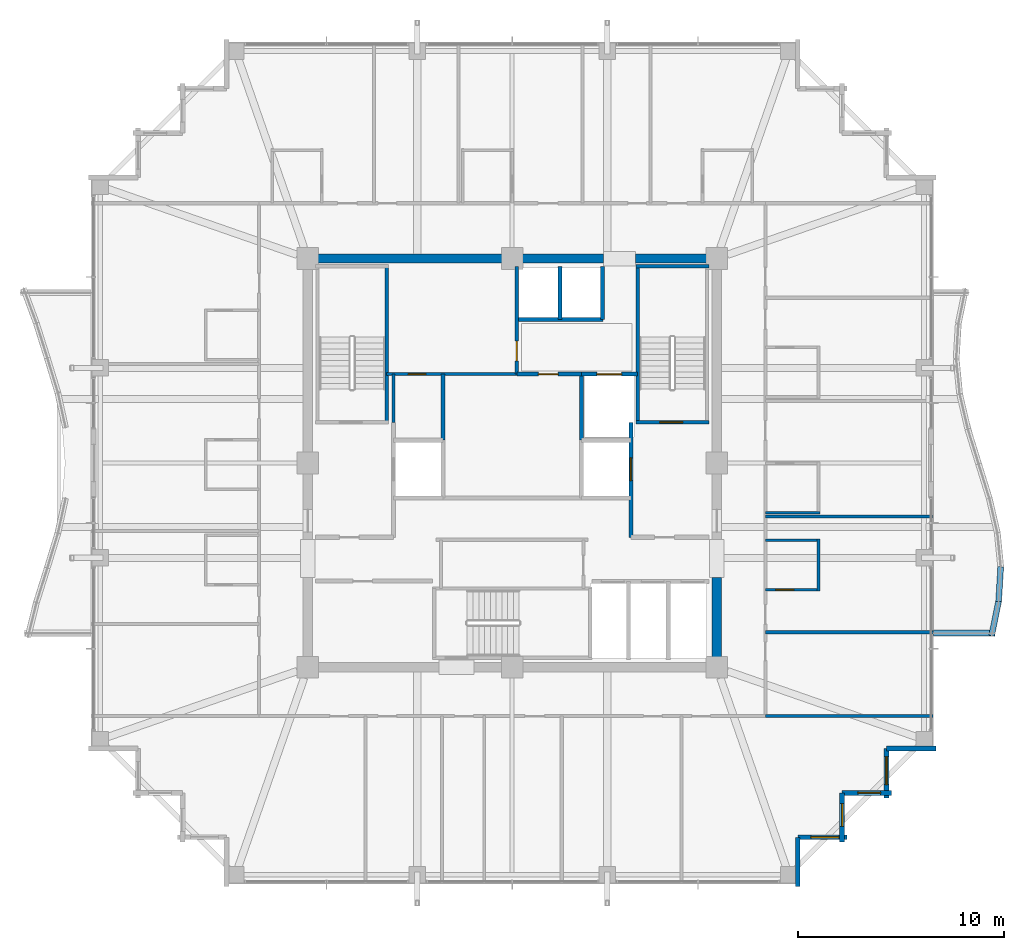
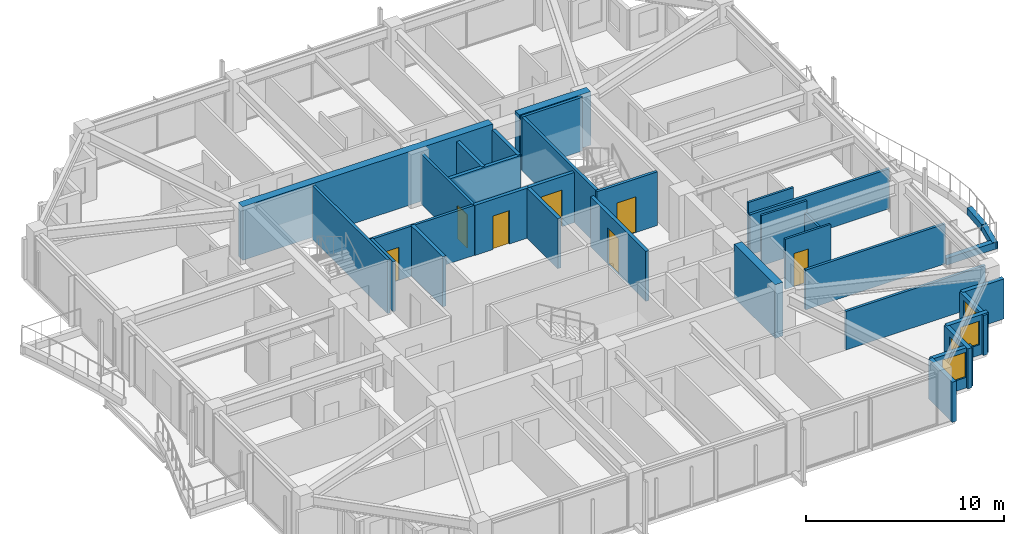
# One storey, part 31 of 35: 34 walls, 7 doors, 4 windows, 11 openings.
"""IFC4 building model written with IfcOpenShell, lengths in metres."""

from ifc_helpers import new_model, si_unit, direction, frame, frame_2d, origin, place, context, subcontext, project, spatial, rectangle, extrude, material, layer, layer_set, type_object, element, fill, save


model = new_model("IFC4")

# Units and contexts
model_context = context("Model", 3, precision=1e-05, world=origin(), true_north=direction((0.0, 1.0)))
body_context = subcontext(model_context, "Body", "Model", "MODEL_VIEW")
ifc_project = project(units=[si_unit("LENGTHUNIT", "METRE"), si_unit("AREAUNIT", "SQUARE_METRE"), si_unit("VOLUMEUNIT", "CUBIC_METRE"), si_unit("PLANEANGLEUNIT", "RADIAN"), si_unit("MASSUNIT", "GRAM", prefix="KILO")], contexts=[model_context])

# Site, building, storey
site_placement = place(None, origin())
site = spatial("IfcSite", under=ifc_project, at=site_placement, CompositionType="ELEMENT")
building_placement = place(site_placement, origin())
building = spatial("IfcBuilding", under=site, at=building_placement, Name="Kolvaren Belvedere", CompositionType="ELEMENT")
storey_placement = place(building_placement, frame((0.0, 0.0, 216.300048828125)))
storey = spatial("IfcBuildingStorey", under=building, at=storey_placement, Name="L63", CompositionType="ELEMENT", Elevation=216.300048828125)

# Walls
ifc_material_1 = material(Name="Concrete C50/60", Category="concrete")
ifc_layer_1 = layer(ifc_material_1, 0.449951171875)
ifc_layer_set_1 = layer_set([ifc_layer_1], Name="Concrete C50/60")
wall_type_1 = type_object("IfcWallType", Name="CW-CORE-450", PredefinedType="SHEAR", material=ifc_layer_set_1)
wall_1_placement = place(storey_placement, frame((-10.125, 9.89990234375, 0.0), z_axis=(0.0, 0.0, 1.0), x_axis=(1.0, 0.0, 0.0)))
element("IfcWall", 1, at=wall_1_placement, inside=storey, type_object=wall_type_1, Name="L63 North Core Shear Wall 1", PredefinedType="SHEAR", context=body_context, shape_type="SweptSolid", body=[
    extrude(rectangle(XDim=14.544921875, YDim=0.449951171875, at=frame_2d((7.2724609375, 0.0))), origin(), (0.0, 0.0, 1.0), 3.300048828125),
])
wall_2_placement = place(storey_placement, frame((5.97998046875, 9.89990234375, 0.0), z_axis=(0.0, 0.0, 1.0), x_axis=(1.0, 0.0, 0.0)))
element("IfcWall", 2, at=wall_2_placement, inside=storey, type_object=wall_type_1, Name="L63 North Core Shear Wall 2", PredefinedType="SHEAR", context=body_context, shape_type="SweptSolid", body=[
    extrude(rectangle(XDim=4.14501953125, YDim=0.449951171875, at=frame_2d((2.072509765625, 0.0))), origin(), (0.0, 0.0, 1.0), 3.300048828125),
])
wall_3_placement = place(storey_placement, frame((9.89990234375, -9.675048828125, 0.0), z_axis=(0.0, 0.0, 1.0), x_axis=(0.0, 1.0, 0.0)))
element("IfcWall", 3, at=wall_3_placement, inside=storey, type_object=wall_type_1, Name="L63 East Core Shear Wall 1", PredefinedType="SHEAR", context=body_context, shape_type="SweptSolid", body=[
    extrude(rectangle(XDim=4.125, YDim=0.449951171875, at=frame_2d((2.0625, 0.0))), origin(), (0.0, 0.0, 1.0), 3.300048828125),
])
ifc_material_2 = material(Name="Concrete C50/60", Category="concrete")
ifc_layer_2 = layer(ifc_material_2, 0.159912109375)
ifc_layer_set_2 = layer_set([ifc_layer_2], Name="Concrete C50/60")
wall_type_2 = type_object("IfcWallType", Name="CW-STAIR-160", PredefinedType="SHEAR", material=ifc_layer_set_2)
wall_4_placement = place(storey_placement, frame((-6.080078125, 1.969970703125, 0.0), z_axis=(0.0, 0.0, 1.0), x_axis=(0.0, 1.0, 0.0)))
element("IfcWall", 4, at=wall_4_placement, inside=storey, type_object=wall_type_2, Name="L63 Stair ST-1 East Shear Wall", PredefinedType="SHEAR", context=body_context, shape_type="SweptSolid", body=[
    extrude(rectangle(XDim=7.56005859375, YDim=0.159912109375, at=frame_2d((3.780029296875, 0.0))), origin(), (0.0, 0.0, 1.0), 3.300048828125),
])

# Wall, opening, door
wall_5_placement = place(storey_placement, frame((6.0, 1.969970703125, 0.0), z_axis=(0.0, 0.0, 1.0), x_axis=(1.0, 0.0, 0.0)))
wall_5 = element("IfcWall", 5, at=wall_5_placement, inside=storey, type_object=wall_type_2, Name="L63 Stair ST-2 South Shear Wall", PredefinedType="SHEAR", context=body_context, shape_type="SweptSolid", body=[
    extrude(rectangle(XDim=3.52001953125, YDim=0.159912109375, at=frame_2d((1.760009765625, 0.0))), origin(), (0.0, 0.0, 1.0), 3.300048828125),
])
opening_1_placement = place(wall_5_placement, frame((1.14990234375, 0.0, 0.0)))
opening_1 = element("IfcOpeningElement", 6, at=opening_1_placement, cuts=wall_5, Name="Opening D-FD90", PredefinedType="OPENING", context=body_context, shape_type="SweptSolid", body=[
    extrude(rectangle(XDim=1.10009765625, YDim=2.199951171875, at=frame_2d((0.550048828125, 1.10009765625))), frame((0.0, 0.08984375, 0.0), z_axis=(0.0, -1.0, 0.0), x_axis=(1.0, 0.0, 0.0)), (0.0, 0.0, 1.0), 0.179931640625),
])
ifc_material_3 = material(Name="Painted hollow stainless steel", Category="steel")
door_type_1 = type_object("IfcDoorType", Name="DR-FD90-1100", OperationType="NOTDEFINED", PredefinedType="DOOR", material=ifc_material_3)
door_1_placement = place(opening_1_placement, origin())
door_1 = element("IfcDoor", 7, at=door_1_placement, inside=storey, type_object=door_type_1, Name="L63 Stair ST-2 Fire Door", OperationType="SINGLE_SWING_RIGHT", OverallHeight=2.199951171875, OverallWidth=1.10009765625, PredefinedType="DOOR", context=body_context, shape_type="SweptSolid", body=[
    extrude(rectangle(XDim=1.10009765625, YDim=2.199951171875, at=frame_2d((0.550048828125, 1.10009765625))), frame((0.0, 0.02490234375, 0.0), z_axis=(0.0, -1.0, 0.0), x_axis=(1.0, 0.0, 0.0)), (0.0, 0.0, 1.0), 0.050048828125),
])
fill(opening_1, door_1)

# Walls
wall_6_placement = place(storey_placement, frame((6.0, 9.530029296875, 0.0), z_axis=(0.0, 0.0, 1.0), x_axis=(1.0, 0.0, 0.0)))
element("IfcWall", 8, at=wall_6_placement, inside=storey, type_object=wall_type_2, Name="L63 Stair ST-2 North Shear Wall", PredefinedType="SHEAR", context=body_context, shape_type="SweptSolid", body=[
    extrude(rectangle(XDim=3.52001953125, YDim=0.159912109375, at=frame_2d((1.760009765625, 0.0))), origin(), (0.0, 0.0, 1.0), 3.300048828125),
])
wall_7_placement = place(storey_placement, frame((6.080078125, 1.969970703125, 0.0), z_axis=(0.0, 0.0, 1.0), x_axis=(0.0, 1.0, 0.0)))
element("IfcWall", 9, at=wall_7_placement, inside=storey, type_object=wall_type_2, Name="L63 Stair ST-2 West Shear Wall", PredefinedType="SHEAR", context=body_context, shape_type="SweptSolid", body=[
    extrude(rectangle(XDim=7.56005859375, YDim=0.159912109375, at=frame_2d((3.780029296875, 0.0))), origin(), (0.0, 0.0, 1.0), 3.300048828125),
])
ifc_material_4 = material(Name="Insulated pale-metal facade wall assembly", Category="aluminium")
ifc_layer_3 = layer(ifc_material_4, 0.239990234375)
ifc_layer_set_3 = layer_set([ifc_layer_3], Name="Insulated pale-metal facade wall assembly")
wall_type_3 = type_object("IfcWallType", Name="WL-EXT-240", PredefinedType="STANDARD", material=ifc_layer_set_3)
wall_8_placement = place(storey_placement, frame((13.830078125, -18.1298828125, 0.0), z_axis=(0.0, 0.0, 1.0), x_axis=(0.0, -1.0, 0.0)))
element("IfcWall", 10, at=wall_8_placement, inside=storey, type_object=wall_type_3, Name="L63 Serrated Corner Facade Wall 2", PredefinedType="STANDARD", context=body_context, shape_type="SweptSolid", body=[
    extrude(rectangle(XDim=2.39013671875, YDim=0.239990234375, at=frame_2d((1.195068359375, 0.0))), origin(), (0.0, 0.0, 1.0), 2.462890625),
])

# Wall, opening, window
wall_9_placement = place(storey_placement, frame((16.219970703125, -18.1298828125, 0.0), z_axis=(0.0, 0.0, 1.0), x_axis=(-1.0, 0.0, 0.0)))
wall_9 = element("IfcWall", 11, at=wall_9_placement, inside=storey, type_object=wall_type_3, Name="L63 Serrated Corner Facade Wall 3", PredefinedType="STANDARD", context=body_context, shape_type="SweptSolid", body=[
    extrude(rectangle(XDim=2.389892578125, YDim=0.239990234375, at=frame_2d((1.19482421875, 0.0))), origin(), (0.0, 0.0, 1.0), 2.462890625),
])
opening_2_placement = place(wall_9_placement, frame((0.39990234375, 0.0, 0.64990234375)))
opening_2 = element("IfcOpeningElement", 12, at=opening_2_placement, cuts=wall_9, Name="Opening W-1350", PredefinedType="OPENING", context=body_context, shape_type="SweptSolid", body=[
    extrude(rectangle(XDim=1.35009765625, YDim=1.550048828125, at=frame_2d((0.675048828125, 0.77490234375))), frame((0.0, 0.1298828125, 0.0), z_axis=(0.0, -1.0, 0.0), x_axis=(1.0, 0.0, 0.0)), (0.0, 0.0, 1.0), 0.260009765625),
])
ifc_material_5 = material(Name="Low-iron triple insulated glass", Category="glass")
window_type_1 = type_object("IfcWindowType", Name="WN-CORN-1350", PartitioningType="SINGLE_PANEL", PredefinedType="WINDOW", material=ifc_material_5)
window_1_placement = place(opening_2_placement, origin())
window_1 = element("IfcWindow", 13, at=window_1_placement, inside=storey, type_object=window_type_1, Name="L63 Serrated Corner Vision Window 3", OverallHeight=1.550048828125, OverallWidth=1.35009765625, PartitioningType="SINGLE_PANEL", PredefinedType="WINDOW", context=body_context, shape_type="SweptSolid", body=[
    extrude(rectangle(XDim=1.35009765625, YDim=1.550048828125, at=frame_2d((0.675048828125, 0.77490234375))), frame((0.0, 0.030029296875, 0.0), z_axis=(0.0, -1.0, 0.0), x_axis=(1.0, 0.0, 0.0)), (0.0, 0.0, 1.0), 0.06005859375),
])
fill(opening_2, window_1)

wall_10_placement = place(storey_placement, frame((15.97998046875, -15.97998046875, 0.0), z_axis=(0.0, 0.0, 1.0), x_axis=(0.0, -1.0, 0.0)))
wall_10 = element("IfcWall", 14, at=wall_10_placement, inside=storey, type_object=wall_type_3, Name="L63 Serrated Corner Facade Wall 4", PredefinedType="STANDARD", context=body_context, shape_type="SweptSolid", body=[
    extrude(rectangle(XDim=2.39013671875, YDim=0.239990234375, at=frame_2d((1.195068359375, 0.0))), origin(), (0.0, 0.0, 1.0), 2.462890625),
])
opening_3_placement = place(wall_10_placement, frame((0.52490234375, 0.0, 0.64990234375)))
opening_3 = element("IfcOpeningElement", 15, at=opening_3_placement, cuts=wall_10, Name="Opening W-1100", PredefinedType="OPENING", context=body_context, shape_type="SweptSolid", body=[
    extrude(rectangle(XDim=1.10009765625, YDim=1.449951171875, at=frame_2d((0.550048828125, 0.72509765625))), frame((0.0, 0.1298828125, 0.0), z_axis=(0.0, -1.0, 0.0), x_axis=(1.0, 0.0, 0.0)), (0.0, 0.0, 1.0), 0.260009765625),
])
ifc_material_6 = material(Name="Low-iron triple insulated glass", Category="glass")
window_type_2 = type_object("IfcWindowType", Name="WN-CORN-1100", PartitioningType="SINGLE_PANEL", PredefinedType="WINDOW", material=ifc_material_6)
window_2_placement = place(opening_3_placement, origin())
window_2 = element("IfcWindow", 16, at=window_2_placement, inside=storey, type_object=window_type_2, Name="L63 Serrated Corner Vision Window 4", OverallHeight=1.449951171875, OverallWidth=1.10009765625, PartitioningType="SINGLE_PANEL", PredefinedType="WINDOW", context=body_context, shape_type="SweptSolid", body=[
    extrude(rectangle(XDim=1.10009765625, YDim=1.449951171875, at=frame_2d((0.550048828125, 0.72509765625))), frame((0.0, 0.030029296875, 0.0), z_axis=(0.0, -1.0, 0.0), x_axis=(1.0, 0.0, 0.0)), (0.0, 0.0, 1.0), 0.06005859375),
])
fill(opening_3, window_2)

wall_11_placement = place(storey_placement, frame((18.3701171875, -15.97998046875, 0.0), z_axis=(0.0, 0.0, 1.0), x_axis=(-1.0, 0.0, 0.0)))
wall_11 = element("IfcWall", 17, at=wall_11_placement, inside=storey, type_object=wall_type_3, Name="L63 Serrated Corner Facade Wall 5", PredefinedType="STANDARD", context=body_context, shape_type="SweptSolid", body=[
    extrude(rectangle(XDim=2.39013671875, YDim=0.239990234375, at=frame_2d((1.195068359375, 0.0))), origin(), (0.0, 0.0, 1.0), 2.462890625),
])
opening_4_placement = place(wall_11_placement, frame((0.52490234375, 0.0, 0.64990234375)))
opening_4 = element("IfcOpeningElement", 18, at=opening_4_placement, cuts=wall_11, Name="Opening W-1100", PredefinedType="OPENING", context=body_context, shape_type="SweptSolid", body=[
    extrude(rectangle(XDim=1.10009765625, YDim=1.449951171875, at=frame_2d((0.550048828125, 0.72509765625))), frame((0.0, 0.1298828125, 0.0), z_axis=(0.0, -1.0, 0.0), x_axis=(1.0, 0.0, 0.0)), (0.0, 0.0, 1.0), 0.260009765625),
])
window_3_placement = place(opening_4_placement, origin())
window_3 = element("IfcWindow", 19, at=window_3_placement, inside=storey, type_object=window_type_2, Name="L63 Serrated Corner Vision Window 5", OverallHeight=1.449951171875, OverallWidth=1.10009765625, PartitioningType="SINGLE_PANEL", PredefinedType="WINDOW", context=body_context, shape_type="SweptSolid", body=[
    extrude(rectangle(XDim=1.10009765625, YDim=1.449951171875, at=frame_2d((0.550048828125, 0.72509765625))), frame((0.0, 0.030029296875, 0.0), z_axis=(0.0, -1.0, 0.0), x_axis=(1.0, 0.0, 0.0)), (0.0, 0.0, 1.0), 0.06005859375),
])
fill(opening_4, window_3)

wall_12_placement = place(storey_placement, frame((18.1298828125, -13.830078125, 0.0), z_axis=(0.0, 0.0, 1.0), x_axis=(0.0, -1.0, 0.0)))
wall_12 = element("IfcWall", 20, at=wall_12_placement, inside=storey, type_object=wall_type_3, Name="L63 Serrated Corner Facade Wall 6", PredefinedType="STANDARD", context=body_context, shape_type="SweptSolid", body=[
    extrude(rectangle(XDim=2.389892578125, YDim=0.239990234375, at=frame_2d((1.19482421875, 0.0))), origin(), (0.0, 0.0, 1.0), 2.462890625),
])
opening_5_placement = place(wall_12_placement, frame((0.39990234375, 0.0, 0.64990234375)))
opening_5 = element("IfcOpeningElement", 21, at=opening_5_placement, cuts=wall_12, Name="Opening W-1350", PredefinedType="OPENING", context=body_context, shape_type="SweptSolid", body=[
    extrude(rectangle(XDim=1.35009765625, YDim=1.550048828125, at=frame_2d((0.675048828125, 0.77490234375))), frame((0.0, 0.1298828125, 0.0), z_axis=(0.0, -1.0, 0.0), x_axis=(1.0, 0.0, 0.0)), (0.0, 0.0, 1.0), 0.260009765625),
])
window_4_placement = place(opening_5_placement, origin())
window_4 = element("IfcWindow", 22, at=window_4_placement, inside=storey, type_object=window_type_1, Name="L63 Serrated Corner Vision Window 6", OverallHeight=1.550048828125, OverallWidth=1.35009765625, PartitioningType="SINGLE_PANEL", PredefinedType="WINDOW", context=body_context, shape_type="SweptSolid", body=[
    extrude(rectangle(XDim=1.35009765625, YDim=1.550048828125, at=frame_2d((0.675048828125, 0.77490234375))), frame((0.0, 0.030029296875, 0.0), z_axis=(0.0, -1.0, 0.0), x_axis=(1.0, 0.0, 0.0)), (0.0, 0.0, 1.0), 0.06005859375),
])
fill(opening_5, window_4)

# Wall
wall_13_placement = place(storey_placement, frame((20.52001953125, -13.830078125, 0.0), z_axis=(0.0, 0.0, 1.0), x_axis=(-1.0, 0.0, 0.0)))
element("IfcWall", 23, at=wall_13_placement, inside=storey, type_object=wall_type_3, Name="L63 Serrated Corner Facade Wall 7", PredefinedType="STANDARD", context=body_context, shape_type="SweptSolid", body=[
    extrude(rectangle(XDim=2.39013671875, YDim=0.239990234375, at=frame_2d((1.195068359375, 0.0))), origin(), (0.0, 0.0, 1.0), 2.462890625),
])

# Wall, opening, door
ifc_material_7 = material(Name="Gypsum acoustic partition assembly", Category="gypsum")
ifc_layer_4 = layer(ifc_material_7, 0.14990234375)
ifc_layer_set_4 = layer_set([ifc_layer_4], Name="Gypsum acoustic partition assembly")
wall_type_4 = type_object("IfcWallType", Name="WL-PART-150", PredefinedType="PARTITIONING", material=ifc_layer_set_4)
wall_14_placement = place(storey_placement, frame((-6.080078125, 4.300048828125, 0.0), z_axis=(0.0, 0.0, 1.0), x_axis=(1.0, 0.0, 0.0)))
wall_14 = element("IfcWall", 24, at=wall_14_placement, inside=storey, type_object=wall_type_4, Name="L63 Reclaimed Salon South Wall", PredefinedType="PARTITIONING", context=body_context, shape_type="SweptSolid", body=[
    extrude(rectangle(XDim=6.300048828125, YDim=0.14990234375, at=frame_2d((3.14990234375, 0.0))), origin(), (0.0, 0.0, 1.0), 3.079833984375),
])
opening_6_placement = place(wall_14_placement, frame((1.050048828125, 0.0, 0.0)))
opening_6 = element("IfcOpeningElement", 25, at=opening_6_placement, cuts=wall_14, Name="Opening D-INT85", PredefinedType="OPENING", context=body_context, shape_type="SweptSolid", body=[
    extrude(rectangle(XDim=0.85009765625, YDim=2.030029296875, at=frame_2d((0.425048828125, 1.01513671875))), frame((0.0, 0.0849609375, 0.0), z_axis=(0.0, -1.0, 0.0), x_axis=(1.0, 0.0, 0.0)), (0.0, 0.0, 1.0), 0.169921875),
])
ifc_material_8 = material(Name="Stained Pacific white oak", Category="timber")
door_type_2 = type_object("IfcDoorType", Name="DR-INT-850", OperationType="NOTDEFINED", PredefinedType="DOOR", material=ifc_material_8)
door_2_placement = place(opening_6_placement, origin())
door_2 = element("IfcDoor", 26, at=door_2_placement, inside=storey, type_object=door_type_2, Name="L63 NW Core Store Door", OperationType="SINGLE_SWING_RIGHT", OverallHeight=2.030029296875, OverallWidth=0.85009765625, PredefinedType="DOOR", context=body_context, shape_type="SweptSolid", body=[
    extrude(rectangle(XDim=0.85009765625, YDim=2.030029296875, at=frame_2d((0.425048828125, 1.01513671875))), frame((0.0, 0.02490234375, 0.0), z_axis=(0.0, -1.0, 0.0), x_axis=(1.0, 0.0, 0.0)), (0.0, 0.0, 1.0), 0.050048828125),
])
fill(opening_6, door_2)

wall_15_placement = place(storey_placement, frame((0.219970703125, 4.300048828125, 0.0), z_axis=(0.0, 0.0, 1.0), x_axis=(0.0, 1.0, 0.0)))
wall_15 = element("IfcWall", 27, at=wall_15_placement, inside=storey, type_object=wall_type_4, Name="L63 Reclaimed Salon East Wall", PredefinedType="PARTITIONING", context=body_context, shape_type="SweptSolid", body=[
    extrude(rectangle(XDim=5.219970703125, YDim=0.14990234375, at=frame_2d((2.60986328125, 0.0))), origin(), (0.0, 0.0, 1.0), 3.079833984375),
])
opening_7_placement = place(wall_15_placement, frame((0.64990234375, 0.0, 0.0)))
opening_7 = element("IfcOpeningElement", 28, at=opening_7_placement, cuts=wall_15, Name="Opening D-INT95", PredefinedType="OPENING", context=body_context, shape_type="SweptSolid", body=[
    extrude(rectangle(XDim=0.949951171875, YDim=2.06005859375, at=frame_2d((0.47509765625, 1.030029296875))), frame((0.0, 0.0849609375, 0.0), z_axis=(0.0, -1.0, 0.0), x_axis=(1.0, 0.0, 0.0)), (0.0, 0.0, 1.0), 0.169921875),
])
ifc_material_9 = material(Name="Stained Pacific white oak", Category="timber")
door_type_3 = type_object("IfcDoorType", Name="DR-INT-950", OperationType="NOTDEFINED", PredefinedType="DOOR", material=ifc_material_9)
door_3_placement = place(opening_7_placement, origin())
door_3 = element("IfcDoor", 29, at=door_3_placement, inside=storey, type_object=door_type_3, Name="L63 Botanical Reading Salon Door", OperationType="SINGLE_SWING_LEFT", OverallHeight=2.06005859375, OverallWidth=0.949951171875, PredefinedType="DOOR", context=body_context, shape_type="SweptSolid", body=[
    extrude(rectangle(XDim=0.949951171875, YDim=2.06005859375, at=frame_2d((0.47509765625, 1.030029296875))), frame((0.0, 0.02490234375, 0.0), z_axis=(0.0, -1.0, 0.0), x_axis=(1.0, 0.0, 0.0)), (0.0, 0.0, 1.0), 0.050048828125),
])
fill(opening_7, door_3)

# Walls
wall_16_placement = place(storey_placement, frame((-5.75, 1.969970703125, 0.0), z_axis=(0.0, 0.0, 1.0), x_axis=(0.0, 1.0, 0.0)))
element("IfcWall", 30, at=wall_16_placement, inside=storey, type_object=wall_type_4, Name="L63 NW Service Room West Wall", PredefinedType="PARTITIONING", context=body_context, shape_type="SweptSolid", body=[
    extrude(rectangle(XDim=2.330078125, YDim=0.14990234375, at=frame_2d((1.1650390625, 0.0))), origin(), (0.0, 0.0, 1.0), 3.079833984375),
])
wall_17_placement = place(storey_placement, frame((12.260009765625, -12.260009765625, 0.0), z_axis=(0.0, 0.0, 1.0), x_axis=(1.0, 0.0, 0.0)))
element("IfcWall", 31, at=wall_17_placement, inside=storey, type_object=wall_type_4, Name="L63 Wing Divider PW-L63-QSE", PredefinedType="PARTITIONING", context=body_context, shape_type="SweptSolid", body=[
    extrude(rectangle(XDim=8.119873046875, YDim=0.14990234375, at=frame_2d((4.06005859375, 0.0))), origin(), (0.0, 0.0, 1.0), 2.368896484375),
])
for number, where, z_axis, x_axis, name in (
    (32, (12.260009765625, -8.199951171875, 0.0), (0.0, 0.0, 1.0), (1.0, 0.0, 0.0), "L63 East Suite Demising Wall 1"),
    (33, (12.260009765625, -2.60009765625, 0.0), (0.0, 0.0, 1.0), (1.0, 0.0, 0.0), "L63 East Suite Demising Wall 2"),
):
    element("IfcWall", number, at=place(storey_placement, frame(where, z_axis=z_axis, x_axis=x_axis)), inside=storey, type_object=wall_type_4, Name=name, PredefinedType="PARTITIONING", context=body_context, shape_type="SweptSolid", body=[
        extrude(rectangle(XDim=8.119873046875, YDim=0.14990234375, at=frame_2d((4.06005859375, 0.0))), origin(), (0.0, 0.0, 1.0), 2.452880859375),
    ])
ifc_material_10 = material(Name="Precast concrete C40/50", Category="concrete")
ifc_layer_5 = layer(ifc_material_10, 0.300048828125)
ifc_layer_set_5 = layer_set([ifc_layer_5], Name="Precast concrete C40/50")
wall_type_5 = type_object("IfcWallType", Name="WL-PLANTER-300", PredefinedType="PARAPET", material=ifc_layer_set_5)
wall_18_placement = place(storey_placement, frame((23.218017578125, -8.367919921875, -0.0400390625), z_axis=(0.0, 0.0, 1.0), x_axis=(0.199647526069, 0.979867779516, 0.0)))
element("IfcWall", 34, at=wall_18_placement, inside=storey, type_object=wall_type_5, Name="L63 Precast Structural Planter Wall BAL-E-1", PredefinedType="PARAPET", context=body_context, shape_type="SweptSolid", body=[
    extrude(rectangle(XDim=1.71435546875, YDim=0.280029296875, at=frame_2d((0.857177734375, 0.0))), origin(), (0.0, 0.0, 1.0), 0.419921875),
])
wall_19_placement = place(storey_placement, frame((23.5576171875, -6.710205078125, -0.0400390625), z_axis=(0.0, 0.0, 1.0), x_axis=(0.061068773295, 0.998133560666, 0.0)))
element("IfcWall", 35, at=wall_19_placement, inside=storey, type_object=wall_type_5, Name="L63 Precast Structural Planter Wall BAL-E-2", PredefinedType="PARAPET", context=body_context, shape_type="SweptSolid", body=[
    extrude(rectangle(XDim=1.68310546875, YDim=0.280029296875, at=frame_2d((0.841552734375, 0.0))), origin(), (0.0, 0.0, 1.0), 0.419921875),
])
wall_20_placement = place(storey_placement, frame((20.39990234375, -8.239990234375, -0.0400390625), z_axis=(0.0, 0.0, 1.0), x_axis=(1.0, 0.0, 0.0)))
element("IfcWall", 36, at=wall_20_placement, inside=storey, type_object=wall_type_5, Name="L63 Precast Structural Planter Wall BAL-E-22", PredefinedType="PARAPET", context=body_context, shape_type="SweptSolid", body=[
    extrude(rectangle(XDim=2.974853515625, YDim=0.280029296875, at=frame_2d((1.4873046875, 0.0))), origin(), (0.0, 0.0, 1.0), 0.419921875),
])

# Wall, opening, door
ifc_material_11 = material(Name="Concrete C50/60", Category="concrete")
ifc_layer_6 = layer(ifc_material_11, 0.199951171875)
ifc_layer_set_6 = layer_set([ifc_layer_6], Name="Concrete C50/60")
wall_type_6 = type_object("IfcWallType", Name="WL-SHAFT-200", PredefinedType="SOLIDWALL", material=ifc_layer_set_6)
wall_21_placement = place(storey_placement, frame((5.75, -3.60009765625, 0.0), z_axis=(0.0, 0.0, 1.0), x_axis=(0.0, 1.0, 0.0)))
wall_21 = element("IfcWall", 37, at=wall_21_placement, inside=storey, type_object=wall_type_6, Name="L63 FSAE FS2 Landing Wall", PredefinedType="SOLIDWALL", context=body_context, shape_type="SweptSolid", body=[
    extrude(rectangle(XDim=5.570068359375, YDim=0.199951171875, at=frame_2d((2.78515625, 0.0))), origin(), (0.0, 0.0, 1.0), 3.079833984375),
])
opening_8_placement = place(wall_21_placement, frame((2.75, 0.0, 0.0)))
opening_8 = element("IfcOpeningElement", 38, at=opening_8_placement, cuts=wall_21, Name="Opening LD-11", PredefinedType="OPENING", context=body_context, shape_type="SweptSolid", body=[
    extrude(rectangle(XDim=1.10009765625, YDim=2.199951171875, at=frame_2d((0.550048828125, 1.10009765625))), frame((0.0, 0.10986328125, 0.0), z_axis=(0.0, -1.0, 0.0), x_axis=(1.0, 0.0, 0.0)), (0.0, 0.0, 1.0), 0.219970703125),
])
ifc_material_12 = material(Name="Brushed stainless steel", Category="steel")
door_type_4 = type_object("IfcDoorType", Name="DR-LIFT-1100", OperationType="DOUBLE_DOOR_SLIDING", PredefinedType="DOOR", material=ifc_material_12)
door_4_placement = place(opening_8_placement, origin())
door_4 = element("IfcDoor", 39, at=door_4_placement, inside=storey, type_object=door_type_4, Name="L63 Firefighting Lift FS2 Landing Door", OperationType="DOUBLE_DOOR_SLIDING", OverallHeight=2.199951171875, OverallWidth=1.10009765625, PredefinedType="DOOR", context=body_context, shape_type="SweptSolid", body=[
    extrude(rectangle(XDim=1.10009765625, YDim=2.199951171875, at=frame_2d((0.550048828125, 1.10009765625))), frame((0.0, 0.02490234375, 0.0), z_axis=(0.0, -1.0, 0.0), x_axis=(1.0, 0.0, 0.0)), (0.0, 0.0, 1.0), 0.050048828125),
])
fill(opening_8, door_4)

wall_22_placement = place(storey_placement, frame((3.35009765625, 4.300048828125, 0.0), z_axis=(0.0, 0.0, 1.0), x_axis=(1.0, 0.0, 0.0)))
wall_22 = element("IfcWall", 40, at=wall_22_placement, inside=storey, type_object=wall_type_6, Name="L63 Service Lift SV1 Front Wall", PredefinedType="SOLIDWALL", context=body_context, shape_type="SweptSolid", body=[
    extrude(rectangle(XDim=2.72998046875, YDim=0.199951171875, at=frame_2d((1.364990234375, 0.0))), origin(), (0.0, 0.0, 1.0), 3.079833984375),
])
opening_9_placement = place(wall_22_placement, frame((0.75, 0.0, 0.0)))
opening_9 = element("IfcOpeningElement", 41, at=opening_9_placement, cuts=wall_22, Name="Opening LD-12", PredefinedType="OPENING", context=body_context, shape_type="SweptSolid", body=[
    extrude(rectangle(XDim=1.199951171875, YDim=2.25, at=frame_2d((0.60009765625, 1.125))), frame((0.0, 0.10986328125, 0.0), z_axis=(0.0, -1.0, 0.0), x_axis=(1.0, 0.0, 0.0)), (0.0, 0.0, 1.0), 0.219970703125),
])
ifc_material_13 = material(Name="Brushed stainless steel", Category="steel")
door_type_5 = type_object("IfcDoorType", Name="DR-LIFT-1200", OperationType="DOUBLE_DOOR_SLIDING", PredefinedType="DOOR", material=ifc_material_13)
door_5_placement = place(opening_9_placement, origin())
door_5 = element("IfcDoor", 42, at=door_5_placement, inside=storey, type_object=door_type_5, Name="L63 Service Lift SV1 Landing Door", OperationType="DOUBLE_DOOR_SLIDING", OverallHeight=2.25, OverallWidth=1.199951171875, PredefinedType="DOOR", context=body_context, shape_type="SweptSolid", body=[
    extrude(rectangle(XDim=1.199951171875, YDim=2.25, at=frame_2d((0.60009765625, 1.125))), frame((0.0, 0.02490234375, 0.0), z_axis=(0.0, -1.0, 0.0), x_axis=(1.0, 0.0, 0.0)), (0.0, 0.0, 1.0), 0.050048828125),
])
fill(opening_9, door_5)

# Walls
wall_23_placement = place(storey_placement, frame((0.219970703125, 6.949951171875, 0.0), z_axis=(0.0, 0.0, 1.0), x_axis=(1.0, 0.0, 0.0)))
element("IfcWall", 43, at=wall_23_placement, inside=storey, type_object=wall_type_6, Name="L63 Express Shuttle Hoistway Wall", PredefinedType="SOLIDWALL", context=body_context, shape_type="SweptSolid", body=[
    extrude(rectangle(XDim=4.179931640625, YDim=0.199951171875, at=frame_2d((2.08984375, 0.0))), origin(), (0.0, 0.0, 1.0), 3.079833984375),
])
for number, where, z_axis, x_axis, name in (
    (44, (4.3798828125, 6.949951171875, 0.0), (0.0, 0.0, 1.0), (0.0, 1.0, 0.0), "L63 Express Shuttle East Wall"),
    (45, (2.31005859375, 6.949951171875, 0.0), (0.0, 0.0, 1.0), (0.0, 1.0, 0.0), "L63 Express Shuttle Divider"),
):
    element("IfcWall", number, at=place(storey_placement, frame(where, z_axis=z_axis, x_axis=x_axis)), inside=storey, type_object=wall_type_6, Name=name, PredefinedType="SOLIDWALL", context=body_context, shape_type="SweptSolid", body=[
        extrude(rectangle(XDim=2.570068359375, YDim=0.199951171875, at=frame_2d((1.28515625, 0.0))), origin(), (0.0, 0.0, 1.0), 3.079833984375),
    ])

# Wall, opening, door
wall_24_placement = place(storey_placement, frame((0.219970703125, 4.300048828125, 0.0), z_axis=(0.0, 0.0, 1.0), x_axis=(1.0, 0.0, 0.0)))
wall_24 = element("IfcWall", 46, at=wall_24_placement, inside=storey, type_object=wall_type_6, Name="L63 Central Core Room North Wall", PredefinedType="SOLIDWALL", context=body_context, shape_type="SweptSolid", body=[
    extrude(rectangle(XDim=3.130126953125, YDim=0.199951171875, at=frame_2d((1.56494140625, 0.0))), origin(), (0.0, 0.0, 1.0), 3.079833984375),
])
opening_10_placement = place(wall_24_placement, frame((1.050048828125, 0.0, 0.0)))
opening_10 = element("IfcOpeningElement", 47, at=opening_10_placement, cuts=wall_24, Name="Opening D-FD60", PredefinedType="OPENING", context=body_context, shape_type="SweptSolid", body=[
    extrude(rectangle(XDim=0.949951171875, YDim=2.06005859375, at=frame_2d((0.47509765625, 1.030029296875))), frame((0.0, 0.10986328125, 0.0), z_axis=(0.0, -1.0, 0.0), x_axis=(1.0, 0.0, 0.0)), (0.0, 0.0, 1.0), 0.219970703125),
])
ifc_material_14 = material(Name="Acoustic white-oak fire door leaf", Category="timber")
door_type_6 = type_object("IfcDoorType", Name="DR-FD60-950", OperationType="NOTDEFINED", PredefinedType="DOOR", material=ifc_material_14)
door_6_placement = place(opening_10_placement, origin())
door_6 = element("IfcDoor", 48, at=door_6_placement, inside=storey, type_object=door_type_6, Name="L63 Central Core Controls Door", OperationType="SINGLE_SWING_LEFT", OverallHeight=2.06005859375, OverallWidth=0.949951171875, PredefinedType="DOOR", context=body_context, shape_type="SweptSolid", body=[
    extrude(rectangle(XDim=0.949951171875, YDim=2.06005859375, at=frame_2d((0.47509765625, 1.030029296875))), frame((0.0, 0.02490234375, 0.0), z_axis=(0.0, -1.0, 0.0), x_axis=(1.0, 0.0, 0.0)), (0.0, 0.0, 1.0), 0.050048828125),
])
fill(opening_10, door_6)

# Walls
for number, where, z_axis, x_axis, name in (
    (49, (-3.35009765625, 1.10009765625, 0.0), (0.0, 0.0, 1.0), (0.0, 1.0, 0.0), "L63 Central Core Room West Wall"),
    (50, (3.35009765625, 1.10009765625, 0.0), (0.0, 0.0, 1.0), (0.0, 1.0, 0.0), "L63 Central Core Room East Wall"),
):
    element("IfcWall", number, at=place(storey_placement, frame(where, z_axis=z_axis, x_axis=x_axis)), inside=storey, type_object=wall_type_6, Name=name, PredefinedType="SOLIDWALL", context=body_context, shape_type="SweptSolid", body=[
        extrude(rectangle(XDim=3.199951171875, YDim=0.199951171875, at=frame_2d((1.60009765625, 0.0))), origin(), (0.0, 0.0, 1.0), 3.079833984375),
    ])

# Wall, opening, door
ifc_material_15 = material(Name="Moisture-resistant gypsum partition", Category="gypsum")
ifc_layer_7 = layer(ifc_material_15, 0.125)
ifc_layer_set_7 = layer_set([ifc_layer_7], Name="Moisture-resistant gypsum partition")
wall_type_7 = type_object("IfcWallType", Name="WL-WET-125", PredefinedType="PARTITIONING", material=ifc_layer_set_7)
wall_25_placement = place(storey_placement, frame((12.27490234375, -6.14306640625, 0.0), z_axis=(0.0, 0.0, 1.0), x_axis=(1.0, 0.0, 0.0)))
wall_25 = element("IfcWall", 51, at=wall_25_placement, inside=storey, type_object=wall_type_7, Name="L63 Bathroom Partition PW-L63-BTH-6-N", PredefinedType="PARTITIONING", context=body_context, shape_type="SweptSolid", body=[
    extrude(rectangle(XDim=2.64013671875, YDim=0.125, at=frame_2d((1.320068359375, 0.0))), origin(), (0.0, 0.0, 1.0), 3.079833984375),
])
opening_11_placement = place(wall_25_placement, frame((0.5, 0.0, 0.0)))
opening_11 = element("IfcOpeningElement", 52, at=opening_11_placement, cuts=wall_25, Name="Opening D-BTH85", PredefinedType="OPENING", context=body_context, shape_type="SweptSolid", body=[
    extrude(rectangle(XDim=0.85009765625, YDim=2.030029296875, at=frame_2d((0.425048828125, 1.01513671875))), frame((0.0, 0.072509765625, 0.0), z_axis=(0.0, -1.0, 0.0), x_axis=(1.0, 0.0, 0.0)), (0.0, 0.0, 1.0), 0.14501953125),
])
ifc_material_16 = material(Name="Moisture-sealed Pacific white oak", Category="timber")
door_type_7 = type_object("IfcDoorType", Name="DR-BATH-850", OperationType="NOTDEFINED", PredefinedType="DOOR", material=ifc_material_16)
door_7_placement = place(opening_11_placement, origin())
door_7 = element("IfcDoor", 53, at=door_7_placement, inside=storey, type_object=door_type_7, Name="L63 En-Suite Bathroom 6306 Door", OperationType="SINGLE_SWING_LEFT", OverallHeight=2.030029296875, OverallWidth=0.85009765625, PredefinedType="DOOR", context=body_context, shape_type="SweptSolid", body=[
    extrude(rectangle(XDim=0.85009765625, YDim=2.030029296875, at=frame_2d((0.425048828125, 1.01513671875))), frame((0.0, 0.02490234375, 0.0), z_axis=(0.0, -1.0, 0.0), x_axis=(1.0, 0.0, 0.0)), (0.0, 0.0, 1.0), 0.050048828125),
])
fill(opening_11, door_7)

# Walls
wall_26_placement = place(storey_placement, frame((14.8349609375, -6.202880859375, 0.0), z_axis=(0.0, 0.0, 1.0), x_axis=(0.0, 1.0, 0.0)))
element("IfcWall", 54, at=wall_26_placement, inside=storey, type_object=wall_type_7, Name="L63 Bathroom Partition PW-L63-BTH-6-V", PredefinedType="PARTITIONING", context=body_context, shape_type="SweptSolid", body=[
    extrude(rectangle(XDim=2.519775390625, YDim=0.125, at=frame_2d((1.259765625, 0.0))), origin(), (0.0, 0.0, 1.0), 2.368896484375),
])
for number, where, z_axis, x_axis, name in (
    (55, (12.27490234375, -3.742919921875, 0.0), (0.0, 0.0, 1.0), (1.0, 0.0, 0.0), "L63 Bathroom Partition PW-L63-BTH-6-S"),
    (56, (12.27490234375, -2.405029296875, 0.0), (0.0, 0.0, 1.0), (1.0, 0.0, 0.0), "L63 Bathroom Partition PW-L63-BTH-7-S"),
):
    element("IfcWall", number, at=place(storey_placement, frame(where, z_axis=z_axis, x_axis=x_axis)), inside=storey, type_object=wall_type_7, Name=name, PredefinedType="PARTITIONING", context=body_context, shape_type="SweptSolid", body=[
        extrude(rectangle(XDim=2.64013671875, YDim=0.125, at=frame_2d((1.320068359375, 0.0))), origin(), (0.0, 0.0, 1.0), 3.079833984375),
    ])

save(model, "model.ifc")
